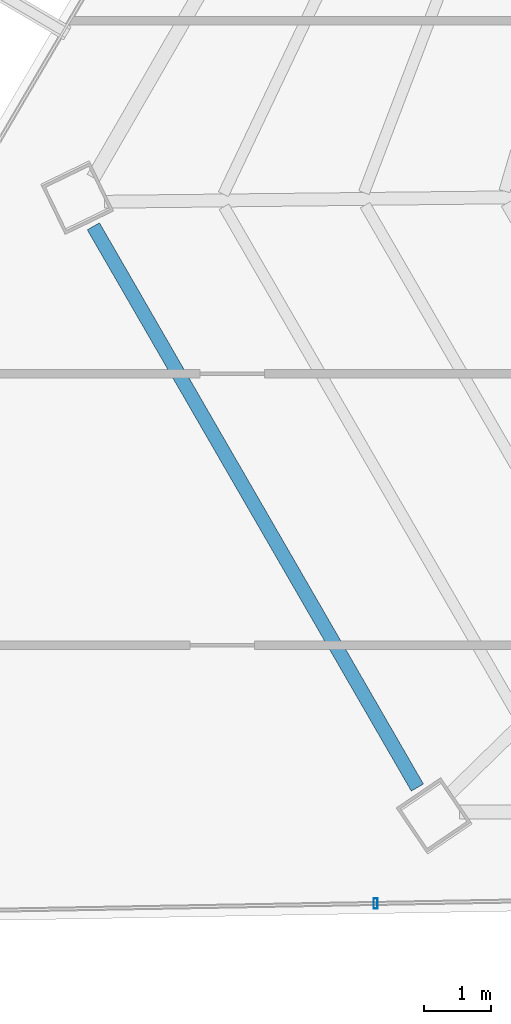
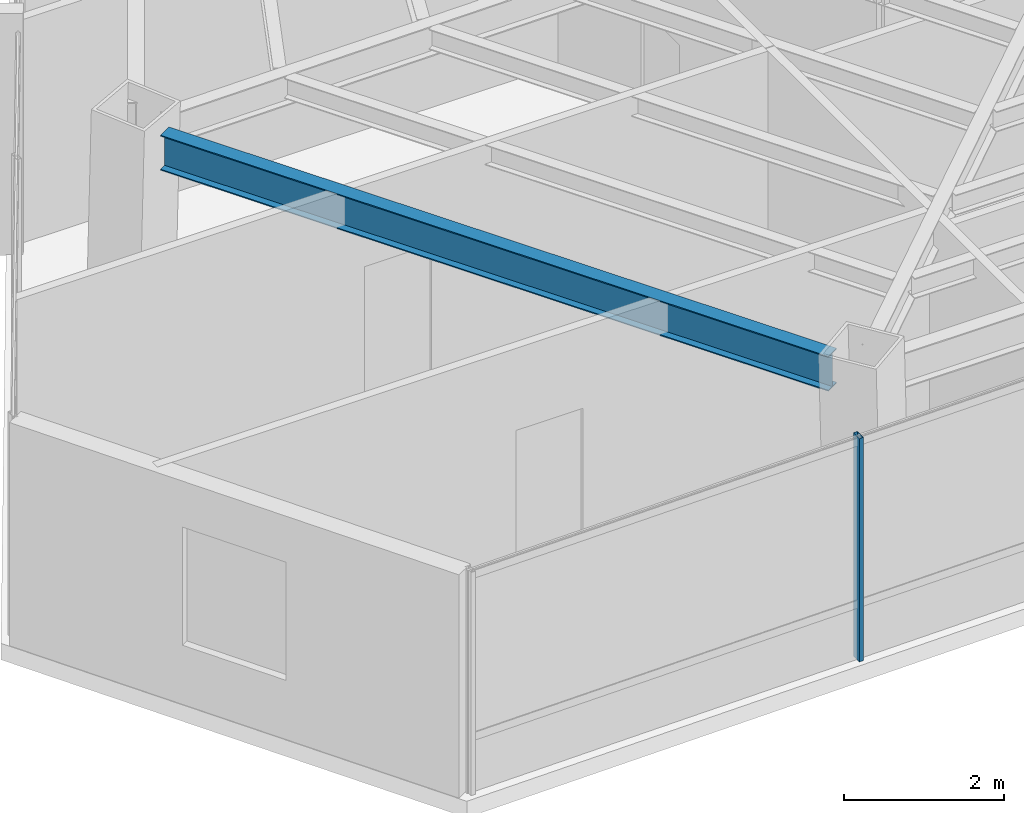
# One storey, part 4 of 42: 1 beam, 1 member, 1 element without a shape of its own.
"""IFC4 building model written with IfcOpenShell, lengths in metres."""

from ifc_helpers import new_model, si_unit, direction, frame, origin, origin_2d, place, context, subcontext, project, spatial, hollow_rectangle, i_section, extrude, source, transform, mapped, material, material_profile, profile_set, type_object, type_shapes, element, aggregate, save


model = new_model("IFC4")

# Units and contexts
model_context = context("Model", 3, precision=1e-05, world=origin(), true_north=direction((0.0, 1.0)))
body_context = subcontext(model_context, "Body", "Model", "MODEL_VIEW")
ifc_project = project(units=[si_unit("LENGTHUNIT", "METRE"), si_unit("AREAUNIT", "SQUARE_METRE"), si_unit("VOLUMEUNIT", "CUBIC_METRE"), si_unit("PLANEANGLEUNIT", "RADIAN"), si_unit("MASSUNIT", "GRAM", prefix="KILO")], contexts=[model_context])

# Site, building, storey
site_placement = place(None, origin())
site = spatial("IfcSite", under=ifc_project, at=site_placement, CompositionType="ELEMENT")
building_placement = place(site_placement, origin())
building = spatial("IfcBuilding", under=site, at=building_placement, Name="Caelisora Broadcast Tower", CompositionType="ELEMENT")
storey_placement = place(building_placement, frame((0.0, 0.0, 195.0)))
storey = spatial("IfcBuildingStorey", under=building, at=storey_placement, Name="L51", CompositionType="ELEMENT", Elevation=195.0)

# Beam
ifc_material_1 = material(Name="Steel Grade 350 (AS/NZS 3679.1)", Category="steel")
ifc_material_profile_1 = material_profile(ifc_material_1, i_section(OverallWidth=0.208984375, OverallDepth=0.532958984375, WebThickness=0.01025390625, FlangeThickness=0.015625, at=origin_2d()), Name="Steel Grade 350 (AS/NZS 3679.1)")
ifc_profile_set_1 = profile_set([ifc_material_profile_1], Name="Steel Grade 350 (AS/NZS 3679.1)")
beam_type = type_object("IfcBeamType", Name="PG05", PredefinedType="BEAM", material=ifc_profile_set_1)
shared_shape_1 = source(origin(), body_context, "Body", "SweptSolid", [
    extrude(i_section(OverallWidth=0.208984375, OverallDepth=0.532958984375, WebThickness=0.01025390625, FlangeThickness=0.015625, at=origin_2d()), origin(), (0.0, 0.0, 1.0), 9.619140625),
])
type_shapes(beam_type, [shared_shape_1])
beam_placement = place(storey_placement, frame((16.04638671875, 16.878662109375, 3.133544921875), z_axis=(0.500004406092, -0.866022859911, 0.0), x_axis=(0.866022859911, 0.500004406092, 0.0)))
element("IfcBeam", 1, at=beam_placement, inside=storey, type_object=beam_type, Name="L51 beam PG05", PredefinedType="BEAM", context=body_context, shape_type="MappedRepresentation", body=[
    mapped(shared_shape_1, transform((0.0, 0.0, 0.0), scale=1.0)),
])

# Curtain wall, member
ifc_material_2 = material(Name="Unitised Aluminium and Low-E Glass Curtain Wall", Category="glass")
curtain_wall_type = type_object("IfcCurtainWallType", Name="CW-Z4", PredefinedType="NOTDEFINED", material=ifc_material_2)
curtain_wall_placement = place(storey_placement, origin())
curtain_wall = element("IfcCurtainWall", 2, at=curtain_wall_placement, inside=storey, type_object=curtain_wall_type, Name="L51 curtain wall CW-Z4", PredefinedType="NOTDEFINED")
ifc_material_3 = material(Name="Aluminium 6063-T6 Anodised Terracotta Bronze", Category="aluminium")
ifc_material_profile_2 = material_profile(ifc_material_3, hollow_rectangle(XDim=0.06005859375, YDim=0.14990234375, WallThickness=0.00341796875, at=origin_2d()), Name="Aluminium 6063-T6 Anodised Terracotta Bronze")
ifc_profile_set_2 = profile_set([ifc_material_profile_2], Name="Aluminium 6063-T6 Anodised Terracotta Bronze")
member_type = type_object("IfcMemberType", Name="CWM-03", PredefinedType="MULLION", material=ifc_profile_set_2)
shared_shape_2 = source(origin(), body_context, "Body", "SweptSolid", [
    extrude(hollow_rectangle(XDim=0.06005859375, YDim=0.14990234375, WallThickness=0.00341796875, at=origin_2d()), origin(), (0.0, 0.0, 1.0), 3.39990234375),
])
type_shapes(member_type, [shared_shape_2])
member_placement = place(storey_placement, frame((20.235595703125, 6.827880859375, 0.0), z_axis=(0.0, 0.0, 1.0), x_axis=(1.0, 0.0, 0.0)))
member = element("IfcMember", 3, at=member_placement, type_object=member_type, Name="L51-CW-B07 mullion #2", PredefinedType="MULLION", context=body_context, shape_type="MappedRepresentation", body=[
    mapped(shared_shape_2, transform((0.0, 0.0, 0.0), scale=1.0)),
])
aggregate(curtain_wall, [member])

save(model, "model.ifc")
